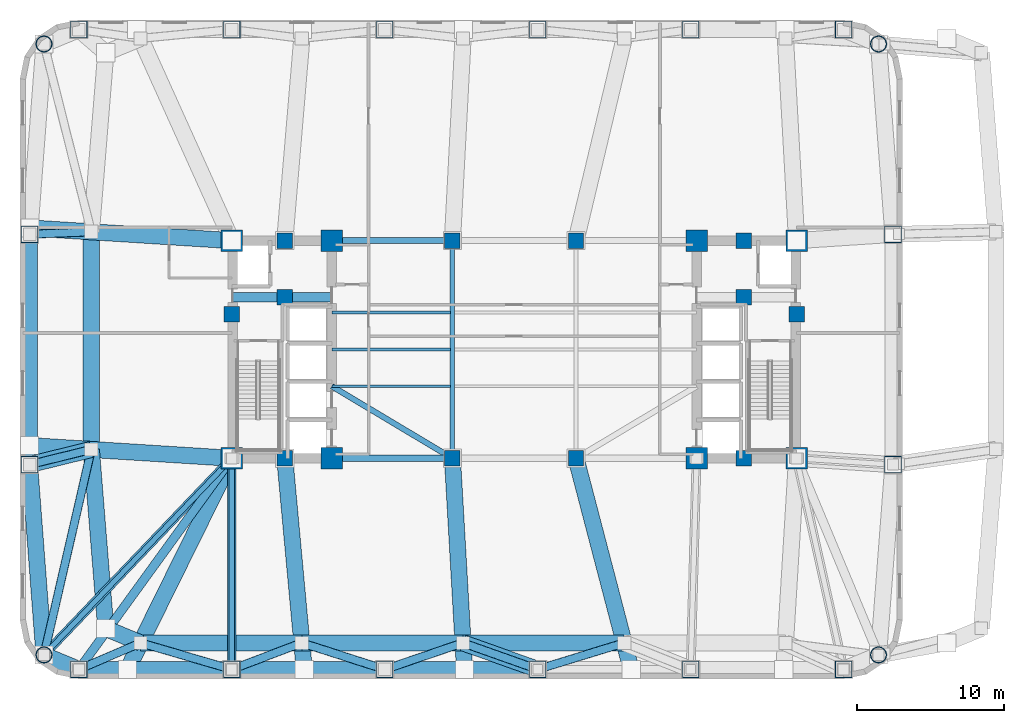
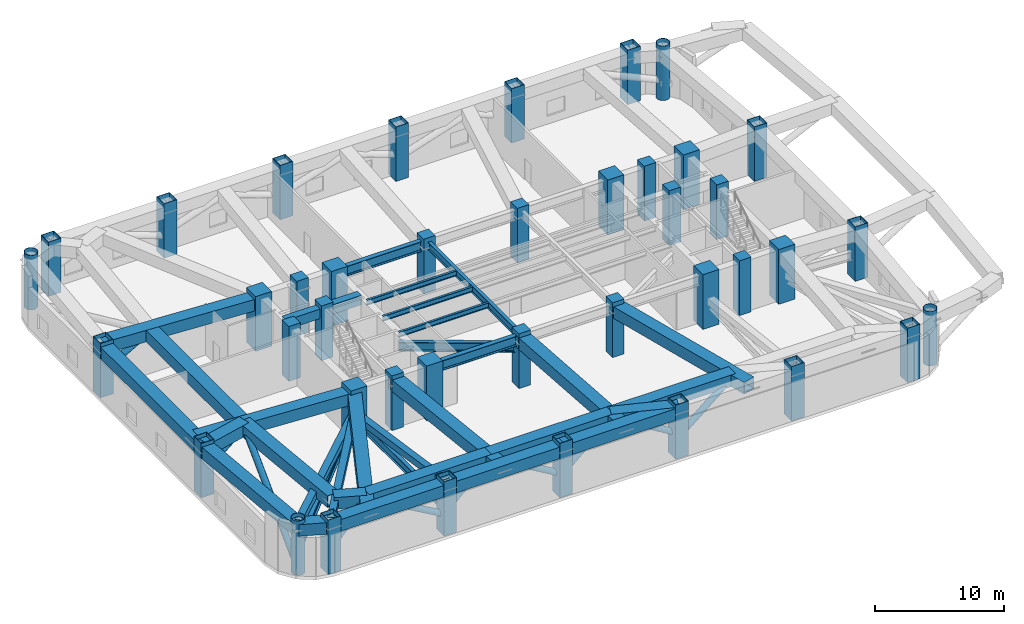
# One storey, part 1 of 9: 40 columns, 30 beams, 13 members.
"""IFC4 building model written with IfcOpenShell, lengths in metres."""

from ifc_helpers import new_model, si_unit, direction, frame, origin, origin_2d, place, context, subcontext, project, spatial, rectangle, hollow_rectangle, hollow_circle, i_section, extrude, material, material_profile, profile_set, type_object, element, save


model = new_model("IFC4")

# Units and contexts
model_context = context("Model", 3, precision=1e-05, world=origin(), true_north=direction((0.0, 1.0)))
body_context = subcontext(model_context, "Body", "Model", "MODEL_VIEW")
ifc_project = project(units=[si_unit("LENGTHUNIT", "METRE"), si_unit("AREAUNIT", "SQUARE_METRE"), si_unit("VOLUMEUNIT", "CUBIC_METRE"), si_unit("PLANEANGLEUNIT", "RADIAN"), si_unit("MASSUNIT", "GRAM", prefix="KILO")], contexts=[model_context])

# Site, building, storey
site_placement = place(None, origin())
site = spatial("IfcSite", under=ifc_project, at=site_placement, CompositionType="ELEMENT")
building_placement = place(site_placement, origin())
building = spatial("IfcBuilding", under=site, at=building_placement, Name="Voryun Gate Residences", CompositionType="ELEMENT")
storey_placement = place(building_placement, frame((0.0, 0.0, 80.60009765625)))
storey = spatial("IfcBuildingStorey", under=building, at=storey_placement, Name="L19", CompositionType="ELEMENT", Elevation=80.60009765625)

# Columns
ifc_material_1 = material(Name="Concrete C50/60", Category="concrete")
ifc_material_profile_1 = material_profile(ifc_material_1, rectangle(XDim=1.050048828125, YDim=1.050048828125, at=origin_2d()), Name="RC-1050x1050")
ifc_profile_set_1 = profile_set([ifc_material_profile_1], Name="Concrete C50/60")
column_type_1 = type_object("IfcColumnType", Name="COL_CORE_1050", PredefinedType="COLUMN", material=ifc_profile_set_1)
for number, where, z_axis, x_axis, name in (
    (1, (-19.199951171875, 2.39990234375, 0.0), (0.0, 0.0, 1.0), (1.0, 0.0, 0.0), "L19 Core boundary column WC-MW"),
    (2, (-15.60009765625, -7.39990234375, 0.0), (0.0, 0.0, 1.0), (1.0, 0.0, 0.0), "L19 Core boundary column WC-SM"),
    (3, (-15.60009765625, 7.39990234375, 0.0), (0.0, 0.0, 1.0), (1.0, 0.0, 0.0), "L19 Core boundary column WC-NM"),
    (4, (-15.60009765625, 3.550048828125, 0.0), (0.0, 0.0, 1.0), (1.0, 0.0, 0.0), "L19 Core boundary column WC-MM"),
    (5, (15.60009765625, 3.550048828125, 0.0), (0.0, 0.0, 1.0), (1.0, 0.0, 0.0), "L19 Core boundary column EC-MM"),
    (6, (15.60009765625, -7.39990234375, 0.0), (0.0, 0.0, 1.0), (1.0, 0.0, 0.0), "L19 Core boundary column EC-SM"),
    (7, (15.60009765625, 7.39990234375, 0.0), (0.0, 0.0, 1.0), (1.0, 0.0, 0.0), "L19 Core boundary column EC-NM"),
    (8, (19.199951171875, 2.39990234375, 0.0), (0.0, 0.0, 1.0), (1.0, 0.0, 0.0), "L19 Core boundary column EC-ME"),
    (9, (-4.199951171875, -7.39990234375, 0.0), (0.0, 0.0, 1.0), (1.0, 0.0, 0.0), "L19 Interior spine column SP-WS"),
    (10, (-4.199951171875, 7.39990234375, 0.0), (0.0, 0.0, 1.0), (1.0, 0.0, 0.0), "L19 Interior spine column SP-WN"),
    (11, (4.199951171875, -7.39990234375, 0.0), (0.0, 0.0, 1.0), (1.0, 0.0, 0.0), "L19 Interior spine column SP-ES"),
    (12, (4.199951171875, 7.39990234375, 0.0), (0.0, 0.0, 1.0), (1.0, 0.0, 0.0), "L19 Interior spine column SP-EN"),
):
    element("IfcColumn", number, at=place(storey_placement, frame(where, z_axis=z_axis, x_axis=x_axis)), inside=storey, type_object=column_type_1, Name=name, PredefinedType="COLUMN", context=body_context, shape_type="SweptSolid", body=[
        extrude(rectangle(XDim=1.050048828125, YDim=1.050048828125, at=origin_2d()), origin(), (0.0, 0.0, 1.0), 5.199951171875),
    ])
ifc_material_2 = material(Name="Steel SM420", Category="steel")
ifc_material_profile_2 = material_profile(ifc_material_2, hollow_circle(Radius=0.550048828125, WallThickness=0.035888671875, at=origin_2d()), Name="CHS-1100x36")
ifc_profile_set_2 = profile_set([ifc_material_profile_2], Name="Steel SM420")
column_type_2 = type_object("IfcColumnType", Name="COL_CRN_1100", PredefinedType="COLUMN", material=ifc_profile_set_2)
for number, where, z_axis, x_axis, name in (
    (13, (24.768798828125, -20.768798828125, 0.0), (0.0, 0.0, 1.0), (1.0, 0.0, 0.0), "L19 Exoskeleton column CSE"),
    (14, (24.768798828125, 20.768798828125, 0.0), (0.0, 0.0, 1.0), (1.0, 0.0, 0.0), "L19 Exoskeleton column CNE"),
    (15, (-31.96875, 20.768798828125, 0.0), (0.0, 0.0, 1.0), (1.0, 0.0, 0.0), "L19 Exoskeleton column CNW"),
    (16, (-31.96875, -20.768798828125, 0.0), (0.0, 0.0, 1.0), (1.0, 0.0, 0.0), "L19 Exoskeleton column CSW"),
):
    element("IfcColumn", number, at=place(storey_placement, frame(where, z_axis=z_axis, x_axis=x_axis)), inside=storey, type_object=column_type_2, Name=name, PredefinedType="COLUMN", context=body_context, shape_type="SweptSolid", body=[
        extrude(hollow_circle(Radius=0.550048828125, WallThickness=0.035888671875, at=origin_2d()), origin(), (0.0, 0.0, 1.0), 5.164794921875),
    ])
ifc_material_3 = material(Name="Steel SM420", Category="steel")
ifc_material_profile_3 = material_profile(ifc_material_3, hollow_rectangle(XDim=1.14990234375, YDim=1.14990234375, WallThickness=0.0400390625, at=origin_2d()), Name="BOX-1150x1150x40")
ifc_profile_set_3 = profile_set([ifc_material_profile_3], Name="Steel SM420")
column_type_3 = type_object("IfcColumnType", Name="COL_EXO_B1", PredefinedType="COLUMN", material=ifc_profile_set_3)
for number, where, z_axis, x_axis, name in (
    (17, (-29.60009765625, -21.75, 0.0), (0.0, 0.0, 1.0), (1.0, 0.0, 0.0), "L19 Exoskeleton column S1"),
    (18, (-19.199951171875, -21.75, 0.0), (0.0, 0.0, 1.0), (1.0, 0.0, 0.0), "L19 Exoskeleton column S2"),
    (19, (-8.800048828125, -21.75, 0.0), (0.0, 0.0, 1.0), (1.0, 0.0, 0.0), "L19 Exoskeleton column S3"),
    (20, (1.60009765625, -21.75, 0.0), (0.0, 0.0, 1.0), (1.0, 0.0, 0.0), "L19 Exoskeleton column S4"),
    (21, (12.0, -21.75, 0.0), (0.0, 0.0, 1.0), (1.0, 0.0, 0.0), "L19 Exoskeleton column S5"),
    (22, (22.39990234375, -21.75, 0.0), (0.0, 0.0, 1.0), (1.0, 0.0, 0.0), "L19 Exoskeleton column S6"),
    (23, (25.75, -7.830078125, 0.0), (0.0, 0.0, 1.0), (1.0, 0.0, 0.0), "L19 Exoskeleton column E1"),
    (24, (25.75, 7.830078125, 0.0), (0.0, 0.0, 1.0), (1.0, 0.0, 0.0), "L19 Exoskeleton column E2"),
    (25, (22.39990234375, 21.75, 0.0), (0.0, 0.0, 1.0), (1.0, 0.0, 0.0), "L19 Exoskeleton column N1"),
    (26, (12.0, 21.75, 0.0), (0.0, 0.0, 1.0), (1.0, 0.0, 0.0), "L19 Exoskeleton column N2"),
    (27, (1.60009765625, 21.75, 0.0), (0.0, 0.0, 1.0), (1.0, 0.0, 0.0), "L19 Exoskeleton column N3"),
    (28, (-8.800048828125, 21.75, 0.0), (0.0, 0.0, 1.0), (1.0, 0.0, 0.0), "L19 Exoskeleton column N4"),
    (29, (-19.199951171875, 21.75, 0.0), (0.0, 0.0, 1.0), (1.0, 0.0, 0.0), "L19 Exoskeleton column N5"),
    (30, (-29.60009765625, 21.75, 0.0), (0.0, 0.0, 1.0), (1.0, 0.0, 0.0), "L19 Exoskeleton column N6"),
    (31, (-32.949951171875, 7.830078125, 0.0), (0.0, 0.0, 1.0), (1.0, 0.0, 0.0), "L19 Exoskeleton column W1"),
    (32, (-32.949951171875, -7.830078125, 0.0), (0.0, 0.0, 1.0), (1.0, 0.0, 0.0), "L19 Exoskeleton column W2"),
):
    element("IfcColumn", number, at=place(storey_placement, frame(where, z_axis=z_axis, x_axis=x_axis)), inside=storey, type_object=column_type_3, Name=name, PredefinedType="COLUMN", context=body_context, shape_type="SweptSolid", body=[
        extrude(hollow_rectangle(XDim=1.14990234375, YDim=1.14990234375, WallThickness=0.0400390625, at=origin_2d()), origin(), (0.0, 0.0, 1.0), 5.164794921875),
    ])
ifc_material_4 = material(Name="Concrete C60/75", Category="concrete")
ifc_material_profile_4 = material_profile(ifc_material_4, rectangle(XDim=1.449951171875, YDim=1.449951171875, at=origin_2d()), Name="RC-1450x1450")
ifc_profile_set_4 = profile_set([ifc_material_profile_4], Name="Concrete C60/75")
column_type_4 = type_object("IfcColumnType", Name="COL_MEGA_1450", PredefinedType="COLUMN", material=ifc_profile_set_4)
for number, where, z_axis, x_axis, name in (
    (33, (-19.199951171875, -7.39990234375, 0.0), (0.0, 0.0, 1.0), (1.0, 0.0, 0.0), "L19 Core boundary column WC-SW"),
    (34, (-19.199951171875, 7.39990234375, 0.0), (0.0, 0.0, 1.0), (1.0, 0.0, 0.0), "L19 Core boundary column WC-NW"),
    (35, (-12.39990234375, -7.39990234375, 0.0), (0.0, 0.0, 1.0), (1.0, 0.0, 0.0), "L19 Core boundary column WC-SE"),
    (36, (-12.39990234375, 7.39990234375, 0.0), (0.0, 0.0, 1.0), (1.0, 0.0, 0.0), "L19 Core boundary column WC-NE"),
    (37, (12.39990234375, -7.39990234375, 0.0), (0.0, 0.0, 1.0), (1.0, 0.0, 0.0), "L19 Core boundary column EC-SW"),
    (38, (12.39990234375, 7.39990234375, 0.0), (0.0, 0.0, 1.0), (1.0, 0.0, 0.0), "L19 Core boundary column EC-NW"),
    (39, (19.199951171875, -7.39990234375, 0.0), (0.0, 0.0, 1.0), (1.0, 0.0, 0.0), "L19 Core boundary column EC-SE"),
    (40, (19.199951171875, 7.39990234375, 0.0), (0.0, 0.0, 1.0), (1.0, 0.0, 0.0), "L19 Core boundary column EC-NE"),
):
    element("IfcColumn", number, at=place(storey_placement, frame(where, z_axis=z_axis, x_axis=x_axis)), inside=storey, type_object=column_type_4, Name=name, PredefinedType="COLUMN", context=body_context, shape_type="SweptSolid", body=[
        extrude(rectangle(XDim=1.449951171875, YDim=1.449951171875, at=origin_2d()), origin(), (0.0, 0.0, 1.0), 5.199951171875),
    ])

# Beams
ifc_material_5 = material(Name="Steel SM420", Category="steel")
ifc_material_profile_5 = material_profile(ifc_material_5, hollow_rectangle(XDim=1.10009765625, YDim=1.10009765625, WallThickness=0.035888671875, at=origin_2d()), Name="BOX-1100x1100x36")
ifc_profile_set_5 = profile_set([ifc_material_profile_5], Name="Steel SM420")
beam_type_1 = type_object("IfcBeamType", Name="BM_ARCH_RIB", PredefinedType="USERDEFINED", material=ifc_profile_set_5)
beam_1_placement = place(storey_placement, frame((-29.60009765625, -21.75, 4.25), z_axis=(1.0, 0.0, 0.0), x_axis=(0.0, 1.0, 0.0)))
element("IfcBeam", 41, at=beam_1_placement, inside=storey, type_object=beam_type_1, Name="BM-L19-SPAND-01", ObjectType="GIRDER", PredefinedType="USERDEFINED", context=body_context, shape_type="SweptSolid", body=[
    extrude(hollow_rectangle(XDim=1.10009765625, YDim=1.10009765625, WallThickness=0.035888671875, at=origin_2d()), origin(), (0.0, 0.0, 1.0), 10.400146484375),
])
beam_2_placement = place(storey_placement, frame((-19.199951171875, -21.75, 4.25), z_axis=(1.0, 0.0, 0.0), x_axis=(0.0, 1.0, 0.0)))
element("IfcBeam", 42, at=beam_2_placement, inside=storey, type_object=beam_type_1, Name="BM-L19-SPAND-02", ObjectType="GIRDER", PredefinedType="USERDEFINED", context=body_context, shape_type="SweptSolid", body=[
    extrude(hollow_rectangle(XDim=1.10009765625, YDim=1.10009765625, WallThickness=0.035888671875, at=origin_2d()), origin(), (0.0, 0.0, 1.0), 10.39990234375),
])
beam_3_placement = place(storey_placement, frame((-8.800048828125, -21.75, 4.25), z_axis=(1.0, 0.0, 0.0), x_axis=(0.0, 1.0, 0.0)))
element("IfcBeam", 43, at=beam_3_placement, inside=storey, type_object=beam_type_1, Name="BM-L19-SPAND-03", ObjectType="GIRDER", PredefinedType="USERDEFINED", context=body_context, shape_type="SweptSolid", body=[
    extrude(hollow_rectangle(XDim=1.10009765625, YDim=1.10009765625, WallThickness=0.035888671875, at=origin_2d()), origin(), (0.0, 0.0, 1.0), 10.400146484375),
])
beam_4_placement = place(storey_placement, frame((-32.949951171875, 7.830078125, 4.25), z_axis=(0.0, -1.0, 0.0), x_axis=(1.0, 0.0, 0.0)))
element("IfcBeam", 44, at=beam_4_placement, inside=storey, type_object=beam_type_1, Name="BM-L19-SPAND-18", ObjectType="GIRDER", PredefinedType="USERDEFINED", context=body_context, shape_type="SweptSolid", body=[
    extrude(hollow_rectangle(XDim=1.10009765625, YDim=1.10009765625, WallThickness=0.035888671875, at=origin_2d()), origin(), (0.0, 0.0, 1.0), 15.66015625),
])
beam_5_placement = place(storey_placement, frame((-32.949951171875, -7.830078125, 4.25), z_axis=(0.075617360159, -0.997136908776, 0.0), x_axis=(0.997136908776, 0.075617360159, 0.0)))
element("IfcBeam", 45, at=beam_5_placement, inside=storey, type_object=beam_type_1, Name="BM-L19-SPAND-19", ObjectType="GIRDER", PredefinedType="USERDEFINED", context=body_context, shape_type="SweptSolid", body=[
    extrude(hollow_rectangle(XDim=1.10009765625, YDim=1.10009765625, WallThickness=0.035888671875, at=origin_2d()), origin(), (0.0, 0.0, 1.0), 12.975830078125),
])
beam_6_placement = place(storey_placement, frame((-31.96875, -20.768798828125, 4.25), z_axis=(0.92386943149, -0.382707817477, 0.0), x_axis=(0.382707817477, 0.92386943149, 0.0)))
element("IfcBeam", 46, at=beam_6_placement, inside=storey, type_object=beam_type_1, Name="BM-L19-SPAND-20", ObjectType="GIRDER", PredefinedType="USERDEFINED", context=body_context, shape_type="SweptSolid", body=[
    extrude(hollow_rectangle(XDim=1.10009765625, YDim=1.10009765625, WallThickness=0.035888671875, at=origin_2d()), origin(), (0.0, 0.0, 1.0), 2.563720703125),
])
beam_7_placement = place(storey_placement, frame((-19.199951171875, -7.39990234375, 4.25), z_axis=(-0.442925341047, -0.896558499072, 0.0), x_axis=(0.896558499072, -0.442925341047, 0.0)))
element("IfcBeam", 47, at=beam_7_placement, inside=storey, type_object=beam_type_1, Name="BM-L19-XFERCANT-S1", ObjectType="GIRDER", PredefinedType="USERDEFINED", context=body_context, shape_type="SweptSolid", body=[
    extrude(hollow_rectangle(XDim=1.10009765625, YDim=1.10009765625, WallThickness=0.035888671875, at=origin_2d()), origin(), (0.0, 0.0, 1.0), 16.005859375),
])
beam_8_placement = place(storey_placement, frame((-15.60009765625, -7.39990234375, 4.25), z_axis=(0.09204019369, -0.995755292602, 0.0), x_axis=(0.995755292602, 0.09204019369, 0.0)))
element("IfcBeam", 48, at=beam_8_placement, inside=storey, type_object=beam_type_1, Name="BM-L19-XFERCANT-S2", ObjectType="GIRDER", PredefinedType="USERDEFINED", context=body_context, shape_type="SweptSolid", body=[
    extrude(hollow_rectangle(XDim=1.10009765625, YDim=1.10009765625, WallThickness=0.035888671875, at=origin_2d()), origin(), (0.0, 0.0, 1.0), 14.411376953125),
])
beam_9_placement = place(storey_placement, frame((-4.199951171875, -7.39990234375, 4.25), z_axis=(0.057274231986, -0.998358483888, 0.0), x_axis=(0.998358483888, 0.057274231986, 0.0)))
element("IfcBeam", 49, at=beam_9_placement, inside=storey, type_object=beam_type_1, Name="BM-L19-XFERCANT-S3", ObjectType="GIRDER", PredefinedType="USERDEFINED", context=body_context, shape_type="SweptSolid", body=[
    extrude(hollow_rectangle(XDim=1.10009765625, YDim=1.10009765625, WallThickness=0.035888671875, at=origin_2d()), origin(), (0.0, 0.0, 1.0), 14.373779296875),
])
beam_10_placement = place(storey_placement, frame((1.60009765625, -21.75, 4.25), z_axis=(-0.942577321322, 0.33398801375, 0.0), x_axis=(-0.33398801375, -0.942577321322, 0.0)))
element("IfcBeam", 50, at=beam_10_placement, inside=storey, type_object=beam_type_1, Name="BM-L19-XFERLOW-S3", ObjectType="GIRDER", PredefinedType="USERDEFINED", context=body_context, shape_type="SweptSolid", body=[
    extrude(hollow_rectangle(XDim=1.10009765625, YDim=1.10009765625, WallThickness=0.035888671875, at=origin_2d()), origin(), (0.0, 0.0, 1.0), 5.3896484375),
])
beam_11_placement = place(storey_placement, frame((4.199951171875, -7.39990234375, 4.25), z_axis=(0.252862773297, -0.967502153941, 0.0), x_axis=(0.967502153941, 0.252862773297, 0.0)))
element("IfcBeam", 51, at=beam_11_placement, inside=storey, type_object=beam_type_1, Name="BM-L19-XFERCANT-S4", ObjectType="GIRDER", PredefinedType="USERDEFINED", context=body_context, shape_type="SweptSolid", body=[
    extrude(hollow_rectangle(XDim=1.10009765625, YDim=1.10009765625, WallThickness=0.035888671875, at=origin_2d()), origin(), (0.0, 0.0, 1.0), 14.83203125),
])
beam_12_placement = place(storey_placement, frame((-19.199951171875, 7.39990234375, 4.25), z_axis=(-0.998044483481, 0.062507671479, 0.0), x_axis=(-0.062507671479, -0.998044483481, 0.0)))
element("IfcBeam", 52, at=beam_12_placement, inside=storey, type_object=beam_type_1, Name="BM-L19-XFERCANT-W1", ObjectType="GIRDER", PredefinedType="USERDEFINED", context=body_context, shape_type="SweptSolid", body=[
    extrude(hollow_rectangle(XDim=1.10009765625, YDim=1.10009765625, WallThickness=0.035888671875, at=origin_2d()), origin(), (0.0, 0.0, 1.0), 13.744384765625),
])
beam_13_placement = place(storey_placement, frame((-19.199951171875, -7.39990234375, 4.25), z_axis=(-0.99801934132, 0.062907824249, 0.0), x_axis=(-0.062907824249, -0.99801934132, 0.0)))
element("IfcBeam", 53, at=beam_13_placement, inside=storey, type_object=beam_type_1, Name="BM-L19-XFERCANT-W2", ObjectType="GIRDER", PredefinedType="USERDEFINED", context=body_context, shape_type="SweptSolid", body=[
    extrude(hollow_rectangle(XDim=1.10009765625, YDim=1.10009765625, WallThickness=0.035888671875, at=origin_2d()), origin(), (0.0, 0.0, 1.0), 13.77734375),
])
beam_14_placement = place(storey_placement, frame((-32.949951171875, -7.830078125, 4.25), z_axis=(0.971114165652, 0.238615333268, 0.0), x_axis=(-0.238615333268, 0.971114165652, 0.0)))
element("IfcBeam", 54, at=beam_14_placement, inside=storey, type_object=beam_type_1, Name="BM-L19-XFERLOW-W2", ObjectType="GIRDER", PredefinedType="USERDEFINED", context=body_context, shape_type="SweptSolid", body=[
    extrude(hollow_rectangle(XDim=1.10009765625, YDim=1.10009765625, WallThickness=0.035888671875, at=origin_2d()), origin(), (0.0, 0.0, 1.0), 4.324951171875),
])
for number, where, z_axis, x_axis, name in (
    (55, (-25.39990234375, -19.949951171875, 4.25), (1.0, 0.0, 0.0), (0.0, 1.0, 0.0), "BM-L19-XFERRING-01"),
    (56, (-14.43994140625, -19.949951171875, 4.25), (1.0, 0.0, 0.0), (0.0, 1.0, 0.0), "BM-L19-XFERRING-02"),
    (57, (-3.47998046875, -19.949951171875, 4.25), (1.0, 0.0, 0.0), (0.0, 1.0, 0.0), "BM-L19-XFERRING-03"),
):
    element("IfcBeam", number, at=place(storey_placement, frame(where, z_axis=z_axis, x_axis=x_axis)), inside=storey, type_object=beam_type_1, Name=name, ObjectType="GIRDER", PredefinedType="USERDEFINED", context=body_context, shape_type="SweptSolid", body=[
        extrude(hollow_rectangle(XDim=1.10009765625, YDim=1.10009765625, WallThickness=0.035888671875, at=origin_2d()), origin(), (0.0, 0.0, 1.0), 10.9599609375),
    ])
beam_15_placement = place(storey_placement, frame((-28.75, 7.998046875, 4.25), z_axis=(0.0, -1.0, 0.0), x_axis=(1.0, 0.0, 0.0)))
element("IfcBeam", 58, at=beam_15_placement, inside=storey, type_object=beam_type_1, Name="BM-L19-XFERRING-18", ObjectType="GIRDER", PredefinedType="USERDEFINED", context=body_context, shape_type="SweptSolid", body=[
    extrude(hollow_rectangle(XDim=1.10009765625, YDim=1.10009765625, WallThickness=0.035888671875, at=origin_2d()), origin(), (0.0, 0.0, 1.0), 14.796142578125),
])
beam_16_placement = place(storey_placement, frame((-28.75, -6.798095703125, 4.25), z_axis=(0.080359517973, -0.996765944378, 0.0), x_axis=(0.996765944378, 0.080359517973, 0.0)))
element("IfcBeam", 59, at=beam_16_placement, inside=storey, type_object=beam_type_1, Name="BM-L19-XFERRING-19", ObjectType="GIRDER", PredefinedType="USERDEFINED", context=body_context, shape_type="SweptSolid", body=[
    extrude(hollow_rectangle(XDim=1.10009765625, YDim=1.10009765625, WallThickness=0.035888671875, at=origin_2d()), origin(), (0.0, 0.0, 1.0), 12.210205078125),
])
beam_17_placement = place(storey_placement, frame((-27.768798828125, -18.96875, 4.25), z_axis=(0.923883376753, -0.382674151414, 0.0), x_axis=(0.382674151414, 0.923883376753, 0.0)))
element("IfcBeam", 60, at=beam_17_placement, inside=storey, type_object=beam_type_1, Name="BM-L19-XFERRING-20", ObjectType="GIRDER", PredefinedType="USERDEFINED", context=body_context, shape_type="SweptSolid", body=[
    extrude(hollow_rectangle(XDim=1.10009765625, YDim=1.10009765625, WallThickness=0.035888671875, at=origin_2d()), origin(), (0.0, 0.0, 1.0), 2.56396484375),
])
ifc_material_6 = material(Name="Concrete C60/75", Category="concrete")
ifc_material_profile_6 = material_profile(ifc_material_6, rectangle(XDim=0.64990234375, YDim=0.89990234375, at=origin_2d()), Name="RC-650x900")
ifc_profile_set_6 = profile_set([ifc_material_profile_6], Name="Concrete C60/75")
beam_type_2 = type_object("IfcBeamType", Name="BM_COUP_RC900", PredefinedType="LINTEL", material=ifc_profile_set_6)
beam_18_placement = place(storey_placement, frame((-19.199951171875, 3.550048828125, 4.349853515625), z_axis=(1.0, 0.0, 0.0), x_axis=(0.0, 1.0, 0.0)))
element("IfcBeam", 61, at=beam_18_placement, inside=storey, type_object=beam_type_2, Name="BM-L19-WC1", PredefinedType="LINTEL", context=body_context, shape_type="SweptSolid", body=[
    extrude(rectangle(XDim=0.64990234375, YDim=0.89990234375, at=origin_2d()), origin(), (0.0, 0.0, 1.0), 6.800048828125),
])
ifc_material_7 = material(Name="Steel SM355", Category="steel")
ifc_material_profile_7 = material_profile(ifc_material_7, i_section(OverallWidth=0.300048828125, OverallDepth=0.699951171875, WebThickness=0.012939453125, FlangeThickness=0.02392578125, FilletRadius=0.01806640625, at=origin_2d()), Name="H-700x300x13x24")
ifc_profile_set_7 = profile_set([ifc_material_profile_7], Name="Steel SM355")
beam_type_3 = type_object("IfcBeamType", Name="BM_GIRD_700", PredefinedType="USERDEFINED", material=ifc_profile_set_7)
beam_19_placement = place(storey_placement, frame((-4.199951171875, -7.39990234375, 4.449951171875), z_axis=(0.0, 1.0, 0.0), x_axis=(-1.0, 0.0, 0.0)))
element("IfcBeam", 62, at=beam_19_placement, inside=storey, type_object=beam_type_3, Name="BM-L19-SPX-W", ObjectType="GIRDER", PredefinedType="USERDEFINED", context=body_context, shape_type="SweptSolid", body=[
    extrude(i_section(OverallWidth=0.300048828125, OverallDepth=0.699951171875, WebThickness=0.012939453125, FlangeThickness=0.02392578125, FilletRadius=0.01806640625, at=origin_2d()), origin(), (0.0, 0.0, 1.0), 14.7998046875),
])
ifc_material_8 = material(Name="Steel SM420", Category="steel")
ifc_material_profile_8 = material_profile(ifc_material_8, i_section(OverallWidth=0.360107421875, OverallDepth=0.800048828125, WebThickness=0.01611328125, FlangeThickness=0.030029296875, FilletRadius=0.01806640625, at=origin_2d()), Name="H-800x360x16x30")
ifc_profile_set_8 = profile_set([ifc_material_profile_8], Name="Steel SM420")
beam_type_4 = type_object("IfcBeamType", Name="BM_OUTRIGGER_CHD", PredefinedType="USERDEFINED", material=ifc_profile_set_8)
beam_20_placement = place(storey_placement, frame((-19.199951171875, -7.39990234375, 2.14990234375), z_axis=(-0.69069023987, -0.723150739852, 0.0), x_axis=(0.723150739852, -0.69069023987, 0.0)))
element("IfcBeam", 63, at=beam_20_placement, inside=storey, type_object=beam_type_4, Name="BM-L19-OUTCHD-CSW", ObjectType="GIRDER", PredefinedType="USERDEFINED", context=body_context, shape_type="SweptSolid", body=[
    extrude(i_section(OverallWidth=0.360107421875, OverallDepth=0.800048828125, WebThickness=0.01611328125, FlangeThickness=0.030029296875, FilletRadius=0.01806640625, at=origin_2d()), origin(), (0.0, 0.0, 1.0), 18.487060546875),
])
beam_21_placement = place(storey_placement, frame((-19.199951171875, -7.39990234375, 2.14990234375), z_axis=(0.0, -1.0, 0.0), x_axis=(1.0, 0.0, 0.0)))
element("IfcBeam", 64, at=beam_21_placement, inside=storey, type_object=beam_type_4, Name="BM-L19-OUTCHD-S2", ObjectType="GIRDER", PredefinedType="USERDEFINED", context=body_context, shape_type="SweptSolid", body=[
    extrude(i_section(OverallWidth=0.360107421875, OverallDepth=0.800048828125, WebThickness=0.01611328125, FlangeThickness=0.030029296875, FilletRadius=0.01806640625, at=origin_2d()), origin(), (0.0, 0.0, 1.0), 14.35009765625),
])
ifc_material_9 = material(Name="Steel SM355", Category="steel")
ifc_material_profile_9 = material_profile(ifc_material_9, i_section(OverallWidth=0.199951171875, OverallDepth=0.47998046875, WebThickness=0.010009765625, FlangeThickness=0.01806640625, FilletRadius=0.01806640625, at=origin_2d()), Name="H-480x200x10x18")
ifc_profile_set_9 = profile_set([ifc_material_profile_9], Name="Steel SM355")
beam_type_5 = type_object("IfcBeamType", Name="BM_SEC_480", PredefinedType="BEAM", material=ifc_profile_set_9)
for number, where, z_axis, x_axis, name in (
    (65, (-12.39990234375, -2.5, 4.559814453125), (1.0, 0.0, 0.0), (0.0, 1.0, 0.0), "BM-L19-SEC-CS1"),
    (66, (-12.39990234375, 0.0, 4.559814453125), (1.0, 0.0, 0.0), (0.0, 1.0, 0.0), "BM-L19-SEC-CM1"),
    (67, (-12.39990234375, 2.5, 4.559814453125), (1.0, 0.0, 0.0), (0.0, 1.0, 0.0), "BM-L19-SEC-CN1"),
):
    element("IfcBeam", number, at=place(storey_placement, frame(where, z_axis=z_axis, x_axis=x_axis)), inside=storey, type_object=beam_type_5, Name=name, PredefinedType="BEAM", context=body_context, shape_type="SweptSolid", body=[
        extrude(i_section(OverallWidth=0.199951171875, OverallDepth=0.47998046875, WebThickness=0.010009765625, FlangeThickness=0.01806640625, FilletRadius=0.01806640625, at=origin_2d()), origin(), (0.0, 0.0, 1.0), 8.074951171875),
    ])
ifc_material_10 = material(Name="Steel SM420", Category="steel")
ifc_material_profile_10 = material_profile(ifc_material_10, i_section(OverallWidth=0.3798828125, OverallDepth=0.85009765625, WebThickness=0.01806640625, FlangeThickness=0.031982421875, FilletRadius=0.01806640625, at=origin_2d()), Name="H-850x380x18x32")
ifc_profile_set_10 = profile_set([ifc_material_profile_10], Name="Steel SM420")
beam_type_6 = type_object("IfcBeamType", Name="BM_XFER_850", PredefinedType="USERDEFINED", material=ifc_profile_set_10)
beam_22_placement = place(storey_placement, frame((-4.199951171875, -7.39990234375, 3.494873046875), z_axis=(-0.858418389627, 0.512950161664, 0.0), x_axis=(-0.512950161664, -0.858418389627, 0.0)))
element("IfcBeam", 68, at=beam_22_placement, inside=storey, type_object=beam_type_6, Name="BM-L19-XFERTIE-CSW", ObjectType="GIRDER", PredefinedType="USERDEFINED", context=body_context, shape_type="SweptSolid", body=[
    extrude(i_section(OverallWidth=0.3798828125, OverallDepth=0.85009765625, WebThickness=0.01806640625, FlangeThickness=0.031982421875, FilletRadius=0.01806640625, at=origin_2d()), origin(), (0.0, 0.0, 1.0), 9.552490234375),
])
ifc_material_11 = material(Name="Steel SM420", Category="steel")
ifc_material_profile_11 = material_profile(ifc_material_11, i_section(OverallWidth=0.419921875, OverallDepth=0.949951171875, WebThickness=0.02001953125, FlangeThickness=0.035888671875, FilletRadius=0.01806640625, at=origin_2d()), Name="H-950x420x20x36")
ifc_profile_set_11 = profile_set([ifc_material_profile_11], Name="Steel SM420")
beam_type_7 = type_object("IfcBeamType", Name="BM_XFER_950", PredefinedType="USERDEFINED", material=ifc_profile_set_11)
for number, where, z_axis, x_axis, name in (
    (69, (-12.39990234375, -7.39990234375, 4.324951171875), (1.0, 0.0, 0.0), (0.0, 1.0, 0.0), "BM-L19-SPG1-S"),
    (70, (-12.39990234375, 7.39990234375, 4.324951171875), (1.0, 0.0, 0.0), (0.0, 1.0, 0.0), "BM-L19-SPG1-N"),
):
    element("IfcBeam", number, at=place(storey_placement, frame(where, z_axis=z_axis, x_axis=x_axis)), inside=storey, type_object=beam_type_7, Name=name, ObjectType="GIRDER", PredefinedType="USERDEFINED", context=body_context, shape_type="SweptSolid", body=[
        extrude(i_section(OverallWidth=0.419921875, OverallDepth=0.949951171875, WebThickness=0.02001953125, FlangeThickness=0.035888671875, FilletRadius=0.01806640625, at=origin_2d()), origin(), (0.0, 0.0, 1.0), 8.199951171875),
    ])

# Members
ifc_material_12 = material(Name="Steel SM420", Category="steel")
ifc_material_profile_12 = material_profile(ifc_material_12, hollow_circle(Radius=0.280029296875, WallThickness=0.02587890625, at=origin_2d()), Name="CHS-560x26")
ifc_profile_set_12 = profile_set([ifc_material_profile_12], Name="Steel SM420")
member_type_1 = type_object("IfcMemberType", Name="MBR_CANT_STRUT_B2", PredefinedType="STRUT", material=ifc_profile_set_12)
member_1_placement = place(storey_placement, frame((-29.60009765625, -21.75, 2.0498046875), z_axis=(0.828154590232, 0.354916519053, 0.43381359958), x_axis=(-0.393912850556, 0.91914779343, 0.0)))
element("IfcMember", 71, at=member_1_placement, inside=storey, type_object=member_type_1, Name="L19 Setback Transfer V-Strut S1-1", PredefinedType="STRUT", context=body_context, shape_type="SweptSolid", body=[
    extrude(hollow_circle(Radius=0.280029296875, WallThickness=0.02587890625, at=origin_2d()), origin(), (0.0, 0.0, 1.0), 5.07177734375),
])
member_2_placement = place(storey_placement, frame((-19.199951171875, -21.75, 1.538330078125), z_axis=(-0.885411703638, 0.257064008306, 0.387252128069), x_axis=(-0.278819195264, -0.960343613689, 0.0)))
element("IfcMember", 72, at=member_2_placement, inside=storey, type_object=member_type_1, Name="L19 Setback Transfer V-Strut S1-2", PredefinedType="STRUT", context=body_context, shape_type="SweptSolid", body=[
    extrude(hollow_circle(Radius=0.280029296875, WallThickness=0.02587890625, at=origin_2d()), origin(), (0.0, 0.0, 1.0), 7.00244140625),
])
member_3_placement = place(storey_placement, frame((-19.199951171875, -21.75, 2.0498046875), z_axis=(0.858548624088, 0.324669385311, 0.39684260144), x_axis=(-0.353714019232, 0.935353619012, 0.0)))
element("IfcMember", 73, at=member_3_placement, inside=storey, type_object=member_type_1, Name="L19 Setback Transfer V-Strut S2-1", PredefinedType="STRUT", context=body_context, shape_type="SweptSolid", body=[
    extrude(hollow_circle(Radius=0.280029296875, WallThickness=0.02587890625, at=origin_2d()), origin(), (0.0, 0.0, 1.0), 5.544189453125),
])
member_4_placement = place(storey_placement, frame((-8.800048828125, -21.75, 1.763427734375), z_axis=(-0.878325937812, 0.280329732024, 0.387245126904), x_axis=(-0.304052914728, -0.952655144869, 0.0)))
element("IfcMember", 74, at=member_4_placement, inside=storey, type_object=member_type_1, Name="L19 Setback Transfer V-Strut S2-2", PredefinedType="STRUT", context=body_context, shape_type="SweptSolid", body=[
    extrude(hollow_circle(Radius=0.280029296875, WallThickness=0.02587890625, at=origin_2d()), origin(), (0.0, 0.0, 1.0), 6.421142578125),
])
member_5_placement = place(storey_placement, frame((1.60009765625, -21.75, 1.986328125), z_axis=(-0.86903618887, 0.307929826054, 0.38724065471), x_axis=(-0.33398801375, -0.942577321322, 0.0)))
element("IfcMember", 75, at=member_5_placement, inside=storey, type_object=member_type_1, Name="L19 Setback Transfer V-Strut S3-1", PredefinedType="STRUT", context=body_context, shape_type="SweptSolid", body=[
    extrude(hollow_circle(Radius=0.280029296875, WallThickness=0.02587890625, at=origin_2d()), origin(), (0.0, 0.0, 1.0), 5.845703125),
])
member_6_placement = place(storey_placement, frame((-8.800048828125, -21.75, 1.89111328125), z_axis=(0.873344297248, 0.295496650159, 0.387235675279), x_axis=(-0.320501968419, 0.947247849425, 0.0)))
element("IfcMember", 76, at=member_6_placement, inside=storey, type_object=member_type_1, Name="L19 Setback Transfer V-Strut S3-2", PredefinedType="STRUT", context=body_context, shape_type="SweptSolid", body=[
    extrude(hollow_circle(Radius=0.280029296875, WallThickness=0.02587890625, at=origin_2d()), origin(), (0.0, 0.0, 1.0), 6.091552734375),
])
member_7_placement = place(storey_placement, frame((1.60009765625, -21.75, 1.667236328125), z_axis=(0.881591530719, 0.26988765803, 0.387242850169), x_axis=(-0.292726866212, 0.956196100075, 0.0)))
element("IfcMember", 77, at=member_7_placement, inside=storey, type_object=member_type_1, Name="L19 Setback Transfer V-Strut S4-2", PredefinedType="STRUT", context=body_context, shape_type="SweptSolid", body=[
    extrude(hollow_circle(Radius=0.280029296875, WallThickness=0.02587890625, at=origin_2d()), origin(), (0.0, 0.0, 1.0), 6.669677734375),
])
member_8_placement = place(storey_placement, frame((-32.949951171875, 7.830078125, 2.0498046875), z_axis=(0.885257050272, 0.035404106876, 0.463752632509), x_axis=(-0.039961079526, 0.99920123705, 0.0)))
element("IfcMember", 78, at=member_8_placement, inside=storey, type_object=member_type_1, Name="L19 Setback Transfer V-Strut W1-1", PredefinedType="STRUT", context=body_context, shape_type="SweptSolid", body=[
    extrude(hollow_circle(Radius=0.280029296875, WallThickness=0.02587890625, at=origin_2d()), origin(), (0.0, 0.0, 1.0), 4.744384765625),
])
member_9_placement = place(storey_placement, frame((-32.949951171875, -7.830078125, 2.0498046875), z_axis=(0.865547415501, 0.212676214923, 0.453427501511), x_axis=(-0.238615333268, 0.971114165652, 0.0)))
element("IfcMember", 79, at=member_9_placement, inside=storey, type_object=member_type_1, Name="L19 Setback Transfer V-Strut W2-1", PredefinedType="STRUT", context=body_context, shape_type="SweptSolid", body=[
    extrude(hollow_circle(Radius=0.280029296875, WallThickness=0.02587890625, at=origin_2d()), origin(), (0.0, 0.0, 1.0), 4.852294921875),
])
member_10_placement = place(storey_placement, frame((-31.96875, -20.768798828125, 0.349853515625), z_axis=(0.216638122698, 0.940298842027, 0.262499545669), x_axis=(-0.97447149537, 0.224511257426, 0.0)))
element("IfcMember", 80, at=member_10_placement, inside=storey, type_object=member_type_1, Name="L19 Setback Transfer V-Strut W2-2", PredefinedType="STRUT", context=body_context, shape_type="SweptSolid", body=[
    extrude(hollow_circle(Radius=0.280029296875, WallThickness=0.02587890625, at=origin_2d()), origin(), (0.0, 0.0, 1.0), 14.857666015625),
])
ifc_material_13 = material(Name="Steel SM420", Category="steel")
ifc_material_profile_13 = material_profile(ifc_material_13, hollow_rectangle(XDim=0.60009765625, YDim=0.60009765625, WallThickness=0.028076171875, at=origin_2d()), Name="BOX-600x600x28")
ifc_profile_set_13 = profile_set([ifc_material_profile_13], Name="Steel SM420")
member_type_2 = type_object("IfcMemberType", Name="MBR_OUTRIGGER_DIAG", PredefinedType="BRACE", material=ifc_profile_set_13)
member_11_placement = place(storey_placement, frame((-19.199951171875, -7.39990234375, 2.39990234375), z_axis=(-0.686066649261, -0.718309853481, 0.115514099413), x_axis=(0.723150739852, -0.69069023987, 0.0)))
element("IfcMember", 81, at=member_11_placement, inside=storey, type_object=member_type_2, Name="L19 Outrigger Truss Diagonal CSW", PredefinedType="BRACE", context=body_context, shape_type="SweptSolid", body=[
    extrude(hollow_rectangle(XDim=0.60009765625, YDim=0.60009765625, WallThickness=0.028076171875, at=origin_2d()), origin(), (0.0, 0.0, 1.0), 18.611572265625),
])
member_12_placement = place(storey_placement, frame((-19.199951171875, -7.39990234375, 2.39990234375), z_axis=(-0.582560880989, -0.803816133308, 0.120426092584), x_axis=(0.80970895572, -0.586831668391, 0.0)))
element("IfcMember", 82, at=member_12_placement, inside=storey, type_object=member_type_2, Name="L19 Outrigger Truss Diagonal S1", PredefinedType="BRACE", context=body_context, shape_type="SweptSolid", body=[
    extrude(hollow_rectangle(XDim=0.60009765625, YDim=0.60009765625, WallThickness=0.028076171875, at=origin_2d()), origin(), (0.0, 0.0, 1.0), 17.8525390625),
])
member_13_placement = place(storey_placement, frame((-19.199951171875, -7.39990234375, 2.39990234375), z_axis=(0.0, -0.988962747708, 0.148164380488), x_axis=(1.0, 0.0, 0.0)))
element("IfcMember", 83, at=member_13_placement, inside=storey, type_object=member_type_2, Name="L19 Outrigger Truss Diagonal S2", PredefinedType="BRACE", context=body_context, shape_type="SweptSolid", body=[
    extrude(hollow_rectangle(XDim=0.60009765625, YDim=0.60009765625, WallThickness=0.028076171875, at=origin_2d()), origin(), (0.0, 0.0, 1.0), 14.51025390625),
])

save(model, "model.ifc")
